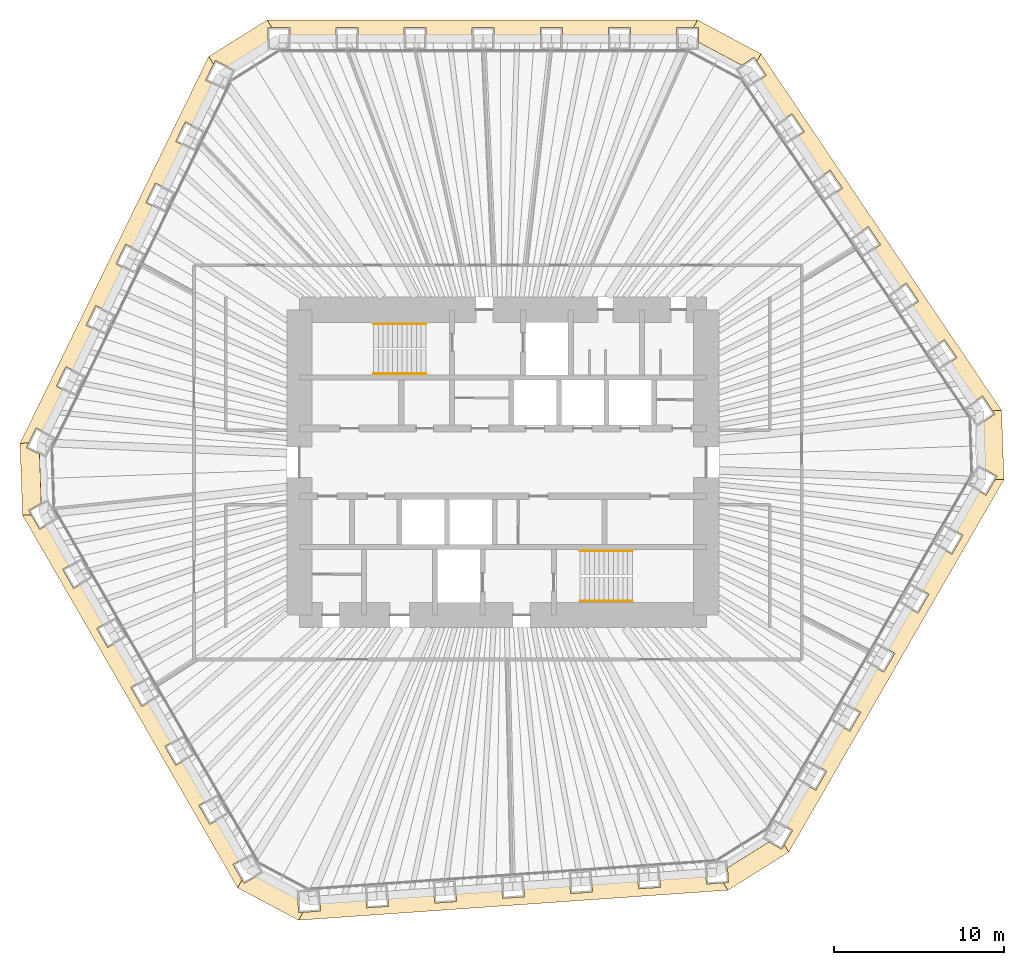
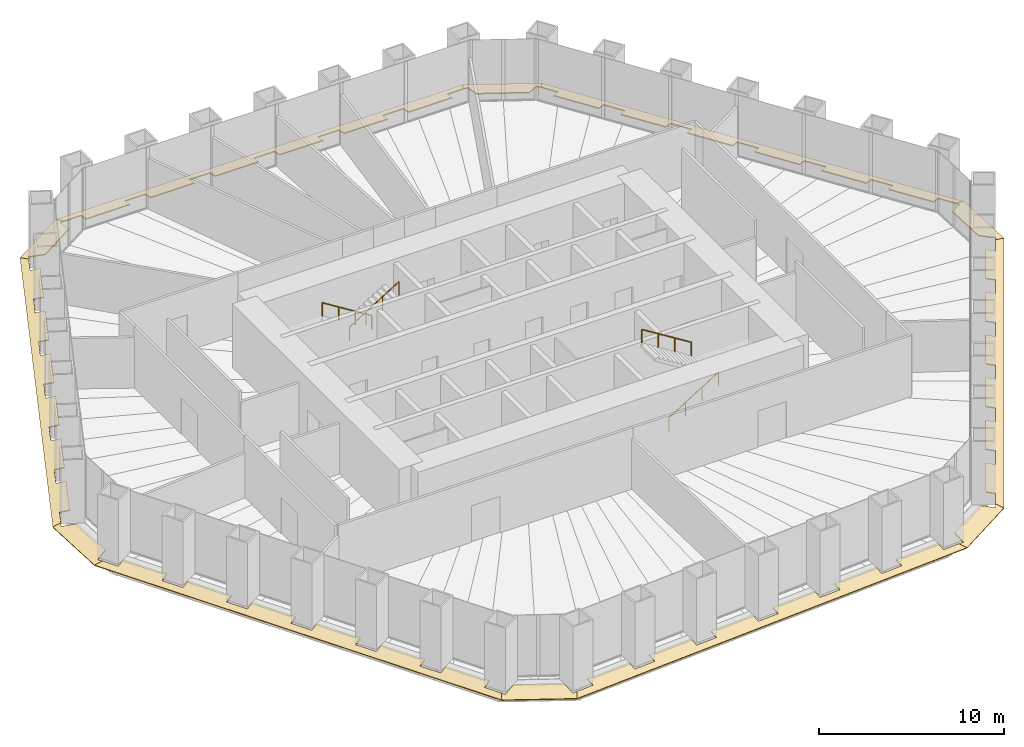
# One storey, part 13 of 13: 12 coverings, 4 railings.
"""IFC4 building model written with IfcOpenShell, lengths in metres."""

from ifc_helpers import new_model, si_unit, direction, frame, origin, origin_2d, place, context, subcontext, project, spatial, polyline, circle, outline, extrude, material, layer, layer_set, type_object, element, save


model = new_model("IFC4")

# Units and contexts
model_context = context("Model", 3, precision=1e-05, world=origin(), true_north=direction((0.0, 1.0)))
body_context = subcontext(model_context, "Body", "Model", "MODEL_VIEW")
ifc_project = project(units=[si_unit("LENGTHUNIT", "METRE"), si_unit("AREAUNIT", "SQUARE_METRE"), si_unit("VOLUMEUNIT", "CUBIC_METRE"), si_unit("PLANEANGLEUNIT", "RADIAN"), si_unit("MASSUNIT", "GRAM", prefix="KILO")], contexts=[model_context])

# Site, building, storey
site_placement = place(None, origin())
site = spatial("IfcSite", under=ifc_project, at=site_placement, CompositionType="ELEMENT")
building_placement = place(site_placement, origin())
building = spatial("IfcBuilding", under=site, at=building_placement, Name="Qingtian Harvest Tower", CompositionType="ELEMENT")
storey_placement = place(building_placement, frame((0.0, 0.0, 140.800048828125)))
storey = spatial("IfcBuildingStorey", under=building, at=storey_placement, Name="L29", CompositionType="ELEMENT", Elevation=140.800048828125)

# Coverings
ifc_material_1 = material(Name="Bronze-finished aluminium plate", Category="aluminium")
ifc_layer = layer(ifc_material_1, 0.06005859375)
ifc_layer_set = layer_set([ifc_layer], Name="Bronze eave band EB2 mid-tier")
covering_type = type_object("IfcCoveringType", Name="Bronze eave band EB2 mid-tier", PredefinedType="CLADDING", material=ifc_layer_set)
covering_1_placement = place(storey_placement, frame((-12.57177734375, 25.10009765625, -0.02001953125), z_axis=(0.0, 0.195999088556, 0.980604077742), x_axis=(0.0, 0.980604077742, -0.195999088556)))
element("IfcCovering", 1, at=covering_1_placement, inside=storey, type_object=covering_type, Name="Eave band EB2 L29 1", PredefinedType="CLADDING", context=body_context, shape_type="SweptSolid", body=[
    extrude(outline(polyline([(0.0, 0.0), (0.5607216728551915, 0.0), (0.5607216728551915, 1.05615234375), (1.0197943251857033, 1.33740234375), (1.0197943251857033, -24.04931640625), (0.5607216728551915, -23.81005859375), (0.5607216728551915, -22.814453125), (0.0, -22.814453125), (0.0, -20.095458984375), (0.5607216728551915, -20.095458984375), (0.5607216728551915, -18.79541015625), (0.0, -18.79541015625), (0.0, -16.076416015625), (0.5607216728551915, -16.076416015625), (0.5607216728551915, -14.7763671875), (0.0, -14.7763671875), (0.0, -12.057373046875), (0.5607216728551915, -12.057373046875), (0.5607216728551915, -10.75732421875), (0.0, -10.75732421875), (0.0, -8.0380859375), (0.5607216728551915, -8.0380859375), (0.5607216728551915, -6.73828125), (0.0, -6.73828125), (0.0, -4.01904296875), (0.5607216728551915, -4.01904296875), (0.5607216728551915, -2.71923828125), (0.0, -2.71923828125), (0.0, 0.0)])), origin(), (0.0, 0.0, -1.0), 0.06005859375),
])
covering_2_placement = place(storey_placement, frame((11.542724609375, 24.78271484375, -0.02001953125), z_axis=(0.081608432917, 0.153489340033, 0.984774637251), x_axis=(8.422332e-06, 0.988070270426, -0.154003703294)))
element("IfcCovering", 2, at=covering_2_placement, inside=storey, type_object=covering_type, Name="Eave band EB2 L29 2", PredefinedType="CLADDING", context=body_context, shape_type="SweptSolid", body=[
    extrude(outline(polyline([(0.0, 0.0), (0.8776717900830042, 0.0), (0.8737965742413539, 0.3054555299871659), (1.3324594637345673, 0.06541313577742533), (-0.633517979251295, -3.689315815332719), (-1.0919396406511426, -3.4492703507384594), (-0.8388798016803317, -3.278527872839465), (-1.3387944552160613, -2.5568804110749506), (0.0, 0.0)])), origin(), (0.0, 0.0, -1.0), 0.06005859375),
])
covering_3_placement = place(storey_placement, frame((15.081298828125, 22.52734375, -0.02001953125), z_axis=(0.162501834796, 0.109607641828, 0.980601508535), x_axis=(0.8128156917, 0.548552615859, -0.196011935758)))
element("IfcCovering", 3, at=covering_3_placement, inside=storey, type_object=covering_type, Name="Eave band EB2 L29 3", PredefinedType="CLADDING", context=body_context, shape_type="SweptSolid", body=[
    extrude(outline(polyline([(0.0, 0.0), (0.5608165467319659, -2.3459424507155102e-17), (0.5611672833394113, 0.9955897512455303), (1.020072127395594, 1.2347102062888011), (1.0136557870396965, -24.152064318749375), (0.5548525464300192, -23.87080701642471), (0.5552082775981825, -22.81454598681734), (-0.005806710464765885, -22.814409415545693), (-0.0051792264997310156, -20.09537694102135), (0.5558357615632156, -20.095513512292992), (0.5561518428952356, -18.79534818218833), (-0.004863145167711025, -18.795211610916684), (-0.0040372198716962515, -16.076315707663987), (0.5567793268602695, -16.076315707663984), (0.5571599255447891, -14.776489317139726), (-0.003721138539677149, -14.776150377559325), (-0.0030936545746422794, -12.057117903034978), (0.5579213334883052, -12.057254474306626), (0.558103490841844, -10.757291512510717), (-0.0029114972211035095, -10.757154941239069), (-0.0019516479466075154, -8.038056669677617), (0.5587309748068766, -8.03825903798637), (0.5592454974698787, -6.738230279153355), (-0.0017694905930687455, -6.738093707881708), (-0.0011420066280352081, -4.019061233357361), (0.559872981434912, -4.019197804629009), (0.560189062766932, -2.719032474524347), (-0.0008259252960154395, -2.7188959032526987), (0.0, 0.0)])), origin(), (0.0, 0.0, -1.0), 0.06005859375),
])
covering_4_placement = place(storey_placement, frame((28.261474609375, 2.330322265625, -0.02001953125), z_axis=(0.167078520212, 0.005836379368, 0.985926318119), x_axis=(0.820644954088, 0.553425357724, -0.142345469746)))
element("IfcCovering", 4, at=covering_4_placement, inside=storey, type_object=covering_type, Name="Eave band EB2 L29 4", PredefinedType="CLADDING", context=body_context, shape_type="SweptSolid", body=[
    extrude(outline(polyline([(0.0, 0.0), (0.926403367166677, -5.724587470723463e-17), (0.9233876359672494, 0.24471563085509201), (1.381611342103284, -0.0374848538180065), (-0.7531814734439756, -3.503377338955167), (-1.2114051795800103, -3.2211768542820685), (-0.9914629155836764, -3.113767341775492), (-1.4082333666348215, -2.2863383963521504), (0.0, 0.0)])), origin(), (0.0, 0.0, -1.0), 0.06005859375),
])
covering_5_placement = place(storey_placement, frame((28.023193359375, -1.66259765625, -0.02001953125), z_axis=(0.169743127362, -0.097998539664, 0.980603669653), x_axis=(0.849305029116, -0.490167854148, -0.196001128255)))
element("IfcCovering", 5, at=covering_5_placement, inside=storey, type_object=covering_type, Name="Eave band EB2 L29 5", PredefinedType="CLADDING", context=body_context, shape_type="SweptSolid", body=[
    extrude(outline(polyline([(0.0, 0.0), (0.5608690489306878, -5.4955497617859006e-18), (0.5610834035056719, 1.0560622750003823), (1.019961865791651, 1.337196838796096), (1.016060180195837, -24.04956694507513), (0.557186389400611, -23.810059676964688), (0.5574183868055407, -22.814592000600562), (-0.003570332011411992, -22.81438055004571), (-0.0032623610984519047, -20.095431585738094), (0.5576066878322354, -20.095431585738094), (0.5579815210985997, -18.795445510858972), (-0.0028875278320876774, -18.795445510858976), (-0.002699226805393806, -16.076285095996504), (0.5582894920115615, -16.076496546551358), (0.5585446553916587, -14.776299021117387), (-0.0023243935390286907, -14.776299021117385), (-0.0020164226260677154, -12.05735005680977), (0.5588526263046196, -12.057350056809772), (0.5592274595709847, -10.757363981930652), (-0.0017612592459688159, -10.757152531375796), (-0.0014532883330087287, -8.038203567068182), (0.5595354304839457, -8.038415017623038), (0.5597905938640437, -6.738217492189063), (-0.0010784550666440573, -6.738217492189063), (-0.0006828041793256467, -4.018935039186735), (0.5603059146376288, -4.019146489741588), (0.5603537281571028, -2.7190710024474747), (-0.0005153207735848486, -2.7190710024474747), (0.0, 0.0)])), origin(), (0.0, 0.0, -1.0), 0.06005859375),
])
covering_6_placement = place(storey_placement, frame((15.691162109375, -22.3876953125, -0.02001953125), z_axis=(0.092112632232, -0.147419693543, 0.984775455086), x_axis=(0.855681630752, -0.494058393405, -0.153997567188)))
element("IfcCovering", 6, at=covering_6_placement, inside=storey, type_object=covering_type, Name="Eave band EB2 L29 6", PredefinedType="CLADDING", context=body_context, shape_type="SweptSolid", body=[
    extrude(outline(polyline([(0.0, 0.0), (0.8776462536870866, 6.071532165918825e-17), (0.8738622017561773, 0.3055314991635068), (1.3323662064088606, 0.06531710035576087), (-0.6335766175637259, -3.6893410869023024), (-1.0920806222164097, -3.449126688094556), (-0.8388221705930541, -3.2782935035210383), (-1.338936097076688, -2.556853191907674), (0.0, 0.0)])), origin(), (0.0, 0.0, -1.0), 0.06005859375),
])
covering_7_placement = place(storey_placement, frame((11.96875, -24.324462890625, -0.02001953125), z_axis=(0.013672565878, -0.195540642393, 0.980600284578), x_axis=(0.068348831235, -0.978215393192, -0.196018064959)))
element("IfcCovering", 7, at=covering_7_placement, inside=storey, type_object=covering_type, Name="Eave band EB2 L29 7", PredefinedType="CLADDING", context=body_context, shape_type="SweptSolid", body=[
    extrude(outline(polyline([(0.0, 0.0), (0.5608361577889893, -8.906551440378968e-18), (0.5606534572045017, 0.9955984171464981), (1.0196739446544458, 1.2348244013412946), (1.0209366357609468, -24.151714297420895), (0.5620464551992038, -23.870641169956194), (0.5621642221498907, -22.81461441010953), (0.0010892422434227722, -22.814597392786954), (0.0009139869981222848, -20.095569718012886), (0.5620056536309662, -20.095343188511418), (0.561787029711008, -18.795535562013704), (0.0009508719220185924, -18.795535562013704), (0.0007923034030943299, -16.076264340415587), (0.5616284611920835, -16.076264340415587), (0.5616486593896043, -14.776473731240447), (0.0008125016006148567, -14.776473731240449), (0.0006539330816903721, -12.057202509642334), (0.5614900908706798, -12.057202509642334), (0.5612881536770975, -10.757151336320575), (0.00043530916173228906, -10.75739488314462), (0.00027674064280791555, -8.038123661546507), (0.5613517205492757, -8.03814067886908), (0.5611497833556935, -6.7380895055473236), (0.0002969388403284423, -6.738333052371368), (0.00013837032140395777, -4.0190618307732535), (0.5609745281103933, -4.0190618307732535), (0.5610114130342897, -2.71902767477407), (-8.025359855409753e-05, -2.71925420427554), (0.0, 0.0)])), origin(), (0.0, 0.0, -1.0), 0.06005859375),
])
covering_8_placement = place(storey_placement, frame((-12.112548828125, -25.640380859375, -0.02001953125), z_axis=(-0.078486986375, -0.147617940022, 0.985925320069), x_axis=(0.069045789017, -0.987406257061, -0.142343115522)))
element("IfcCovering", 8, at=covering_8_placement, inside=storey, type_object=covering_type, Name="Eave band EB2 L29 8", PredefinedType="CLADDING", context=body_context, shape_type="SweptSolid", body=[
    extrude(outline(polyline([(0.0, 0.0), (0.9264566709742594, -3.469446951953614e-18), (0.9232786022694252, 0.244709660597481), (1.3814788388452057, -0.03748679490503006), (-0.75351161035369, -3.5032998481658546), (-1.2117118469294705, -3.2211033926633434), (-0.9916684279481928, -3.1136239081572663), (-1.4085619063972423, -2.2861216259674073), (0.0, 0.0)])), origin(), (0.0, 0.0, -1.0), 0.06005859375),
])
covering_9_placement = place(storey_placement, frame((-15.451416015625, -23.4375, -0.02001953125), z_axis=(-0.169759799909, -0.09801175871, 0.980599462314), x_axis=(-0.849301385042, -0.490165751376, -0.196022176154)))
element("IfcCovering", 9, at=covering_9_placement, inside=storey, type_object=covering_type, Name="Eave band EB2 L29 9", PredefinedType="CLADDING", context=body_context, shape_type="SweptSolid", body=[
    extrude(outline(polyline([(0.0, 0.0), (0.5608690526638924, 1.4026865606531214e-17), (0.5607743687184279, 1.0562737255151133), (1.0195272130684034, 1.337570955057259), (1.0234288738243429, -24.049192828863674), (0.5645516887968779, -23.810059677025833), (0.56443936207783, -22.814380550130288), (0.003450640041043229, -22.814592000610492), (0.0030549917188569253, -20.09530954761673), (0.5639240443827508, -20.09530954761673), (0.5637565621103232, -18.795445510895064), (0.0028875094464302364, -18.795445510895064), (0.0023721917513501722, -16.076374508381505), (0.5633609137881378, -16.0761630579013), (0.5631934315157084, -14.776299021179636), (0.0023243788518163555, -14.776299021179636), (0.0018090611567362913, -12.057228018666079), (0.5626781138206284, -12.057228018666079), (0.5626303009210954, -10.75715253146421), (0.001641578884307826, -10.757363981944412), (0.0011262611892277619, -8.038292979430855), (0.5621149832260145, -8.03808152895065), (0.5619475009535865, -6.738217492228985), (0.0010784482896939451, -6.738217492228985), (0.0005631305946138809, -4.019146489715427), (0.5615518526314011, -4.018935039235224), (0.5611770213880151, -2.7189489642443987), (0.0003079687241225315, -2.7189489642443987), (0.0, 0.0)])), origin(), (0.0, 0.0, -1.0), 0.06005859375),
])
covering_10_placement = place(storey_placement, frame((-27.23388671875, -2.39501953125, -0.02001953125), z_axis=(-0.173740661393, -0.006065616014, 0.984772761037), x_axis=(-0.855688785063, -0.494042205001, -0.154009749025)))
element("IfcCovering", 10, at=covering_10_placement, inside=storey, type_object=covering_type, Name="Eave band EB2 L29 10", PredefinedType="CLADDING", context=body_context, shape_type="SweptSolid", body=[
    extrude(outline(polyline([(0.0, 0.0), (0.8776462548574602, -1.5612511283791264e-17), (0.8738885556772177, 0.30541016722542563), (1.3323132320072244, 0.06541069135119428), (-0.6336513214160326, -3.6892055748158508), (-1.0920759977460393, -3.4492060989416196), (-0.8389289292400398, -3.2782685579587616), (-1.33900509586083, -2.5568822963681495), (0.0, 0.0)])), origin(), (0.0, 0.0, -1.0), 0.06005859375),
])
covering_11_placement = place(storey_placement, frame((-27.0498046875, 1.797119140625, -0.02001953125), z_axis=(-0.176189208212, 0.085932908386, 0.980598234837), x_axis=(-0.881468756196, 0.429634417312, -0.196028312525)))
element("IfcCovering", 11, at=covering_11_placement, inside=storey, type_object=covering_type, Name="Eave band EB2 L29 11", PredefinedType="CLADDING", context=body_context, shape_type="SweptSolid", body=[
    extrude(outline(polyline([(0.0, 0.0), (0.5608965259112435, -9.168284621080547e-18), (0.5612519938386465, 0.9955780152227145), (1.0201189205892096, 1.2347308524268017), (1.0134687398089013, -24.151987496105512), (0.5548444262111266, -23.87064076551804), (0.5550510051269667, -22.81457072843438), (-0.00595041199944113, -22.814351269259685), (-0.00507848348045048, -20.095236483442076), (0.5556028400977372, -20.095343452200442), (0.5561958232228893, -18.795459250490946), (-0.004805593903518535, -18.79523979131625), (-0.00414886771758205, -16.076231974257006), (0.5567476581936616, -16.07623197425701), (0.5571254389857568, -14.776454741305875), (-0.003875978140650993, -14.776235282131179), (-0.0030040496216585666, -12.057120496313573), (0.5576772739565291, -12.057227465071938), (0.5581653658665165, -10.757123804187744), (-0.0027311600447266215, -10.757123804187746), (-0.002074433858791025, -8.038115987128503), (0.5588220920524521, -8.038115987128503), (0.5590949816293841, -6.738119295002675), (-0.001801544281859524, -6.738119295002676), (-0.0009296157628677637, -4.019004509185069), (0.5597517078153201, -4.019111477943434), (0.5602397997253077, -2.719007817059241), (-0.0006567261859360407, -2.7190078170592415), (0.0, 0.0)])), origin(), (0.0, 0.0, -1.0), 0.06005859375),
])
covering_12_placement = place(storey_placement, frame((-16.148681640625, 23.31005859375, -0.02001953125), z_axis=(-0.088593728248, 0.141778394487, 0.985925980067), x_axis=(-0.889653340429, 0.433886177028, -0.142336640563)))
element("IfcCovering", 12, at=covering_12_placement, inside=storey, type_object=covering_type, Name="Eave band EB2 L29 12", PredefinedType="CLADDING", context=body_context, shape_type="SweptSolid", body=[
    extrude(outline(polyline([(0.0, 0.0), (0.9267167114500403, -5.0306980803327406e-17), (0.9236333167055477, 0.24487303562275456), (1.3816467695435377, -0.03746703332707372), (-0.7533606328266845, -3.503157889072876), (-1.2116972154296792, -3.2207099630526046), (-0.9916211294680104, -3.113359575778274), (-1.4082564485163886, -2.285911452678639), (0.0, 0.0)])), origin(), (0.0, 0.0, -1.0), 0.06005859375),
])

# Railings
ifc_material_2 = material(Name="Stainless steel handrail", Category="steel")
railing_type = type_object("IfcRailingType", Name="Handrail HR1", PredefinedType="HANDRAIL", material=ifc_material_2)
railing_1_placement = place(storey_placement, frame((-4.550048828125, 8.169921875, 0.175048828125)))
element("IfcRailing", 13, at=railing_1_placement, inside=storey, type_object=railing_type, Name="Handrail HR1 S1 flight 1", PredefinedType="HANDRAIL", context=body_context, shape_type="SweptSolid", body=[
    extrude(circle(Radius=0.02392578125, at=origin_2d()), frame((0.0, 0.0, 0.8759765625), z_axis=(-0.848009633417, 0.0, 0.529980812513), x_axis=(0.0, -1.0, 0.0)), (0.0, 0.0, 1.0), 3.6318359375),
    extrude(circle(Radius=0.02099609375, at=origin_2d()), origin(), (0.0, 0.0, 1.0), 0.851806640625),
    extrude(circle(Radius=0.02099609375, at=origin_2d()), frame((-1.026611328125, 0.0, 0.6416015625)), (0.0, 0.0, 1.0), 0.851806640625),
    extrude(circle(Radius=0.02099609375, at=origin_2d()), frame((-2.05322265625, 0.0, 1.283203125)), (0.0, 0.0, 1.0), 0.851806640625),
    extrude(circle(Radius=0.02099609375, at=origin_2d()), frame((-3.079833984375, 0.0, 1.9248046875)), (0.0, 0.0, 1.0), 0.851806640625),
])
railing_2_placement = place(storey_placement, frame((-7.6298828125, 5.22998046875, 2.27490234375)))
element("IfcRailing", 14, at=railing_2_placement, inside=storey, type_object=railing_type, Name="Handrail HR1 S1 flight 2", PredefinedType="HANDRAIL", context=body_context, shape_type="SweptSolid", body=[
    extrude(circle(Radius=0.02392578125, at=origin_2d()), frame((0.0, 0.0, 0.8759765625), z_axis=(0.847979421464, 0.0, 0.530029150871), x_axis=(0.0, 1.0, 0.0)), (0.0, 0.0, 1.0), 3.632080078125),
    extrude(circle(Radius=0.02099609375, at=origin_2d()), origin(), (0.0, 0.0, 1.0), 0.851806640625),
    extrude(circle(Radius=0.02099609375, at=origin_2d()), frame((1.026611328125, 0.0, 0.6416015625)), (0.0, 0.0, 1.0), 0.851806640625),
    extrude(circle(Radius=0.02099609375, at=origin_2d()), frame((2.05322265625, 0.0, 1.283447265625)), (0.0, 0.0, 1.0), 0.851806640625),
    extrude(circle(Radius=0.02099609375, at=origin_2d()), frame((3.079833984375, 0.0, 1.925048828125)), (0.0, 0.0, 1.0), 0.851806640625),
])
railing_3_placement = place(storey_placement, frame((4.550048828125, -8.169921875, 0.175048828125)))
element("IfcRailing", 15, at=railing_3_placement, inside=storey, type_object=railing_type, Name="Handrail HR1 S2 flight 1", PredefinedType="HANDRAIL", context=body_context, shape_type="SweptSolid", body=[
    extrude(circle(Radius=0.02392578125, at=origin_2d()), frame((0.0, 0.0, 0.8759765625), z_axis=(0.848009633417, 0.0, 0.529980812513), x_axis=(0.0, 1.0, 0.0)), (0.0, 0.0, 1.0), 3.6318359375),
    extrude(circle(Radius=0.02099609375, at=origin_2d()), origin(), (0.0, 0.0, 1.0), 0.851806640625),
    extrude(circle(Radius=0.02099609375, at=origin_2d()), frame((1.026611328125, 0.0, 0.6416015625)), (0.0, 0.0, 1.0), 0.851806640625),
    extrude(circle(Radius=0.02099609375, at=origin_2d()), frame((2.05322265625, 0.0, 1.283203125)), (0.0, 0.0, 1.0), 0.851806640625),
    extrude(circle(Radius=0.02099609375, at=origin_2d()), frame((3.079833984375, 0.0, 1.9248046875)), (0.0, 0.0, 1.0), 0.851806640625),
])
railing_4_placement = place(storey_placement, frame((7.6298828125, -5.22998046875, 2.27490234375)))
element("IfcRailing", 16, at=railing_4_placement, inside=storey, type_object=railing_type, Name="Handrail HR1 S2 flight 2", PredefinedType="HANDRAIL", context=body_context, shape_type="SweptSolid", body=[
    extrude(circle(Radius=0.02392578125, at=origin_2d()), frame((0.0, 0.0, 0.8759765625), z_axis=(-0.847979421464, 0.0, 0.530029150871), x_axis=(0.0, -1.0, 0.0)), (0.0, 0.0, 1.0), 3.632080078125),
    extrude(circle(Radius=0.02099609375, at=origin_2d()), origin(), (0.0, 0.0, 1.0), 0.851806640625),
    extrude(circle(Radius=0.02099609375, at=origin_2d()), frame((-1.026611328125, 0.0, 0.6416015625)), (0.0, 0.0, 1.0), 0.851806640625),
    extrude(circle(Radius=0.02099609375, at=origin_2d()), frame((-2.05322265625, 0.0, 1.283447265625)), (0.0, 0.0, 1.0), 0.851806640625),
    extrude(circle(Radius=0.02099609375, at=origin_2d()), frame((-3.079833984375, 0.0, 1.925048828125)), (0.0, 0.0, 1.0), 0.851806640625),
])

save(model, "model.ifc")
